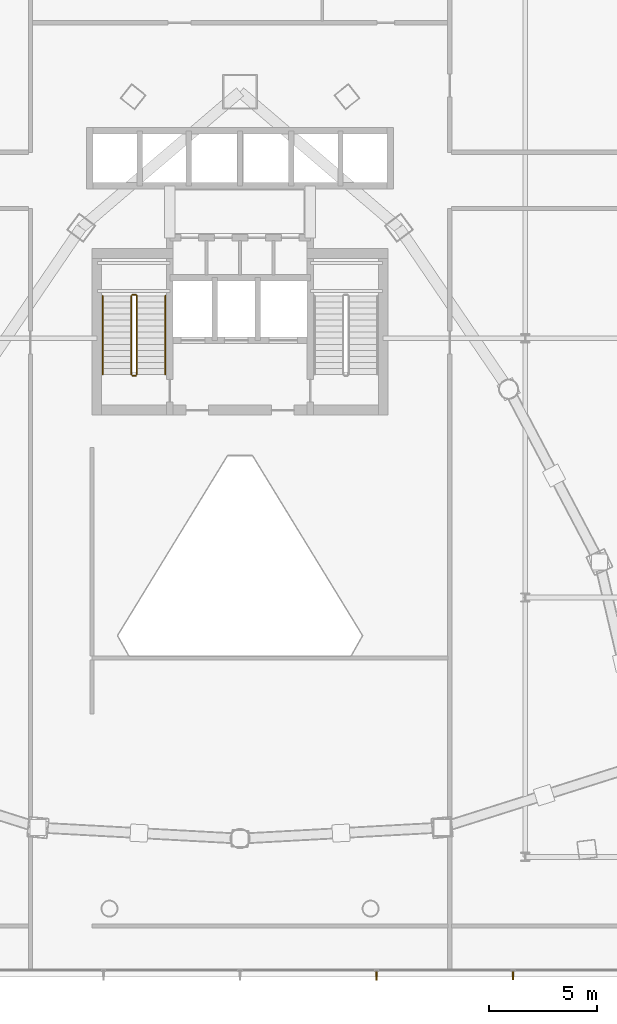
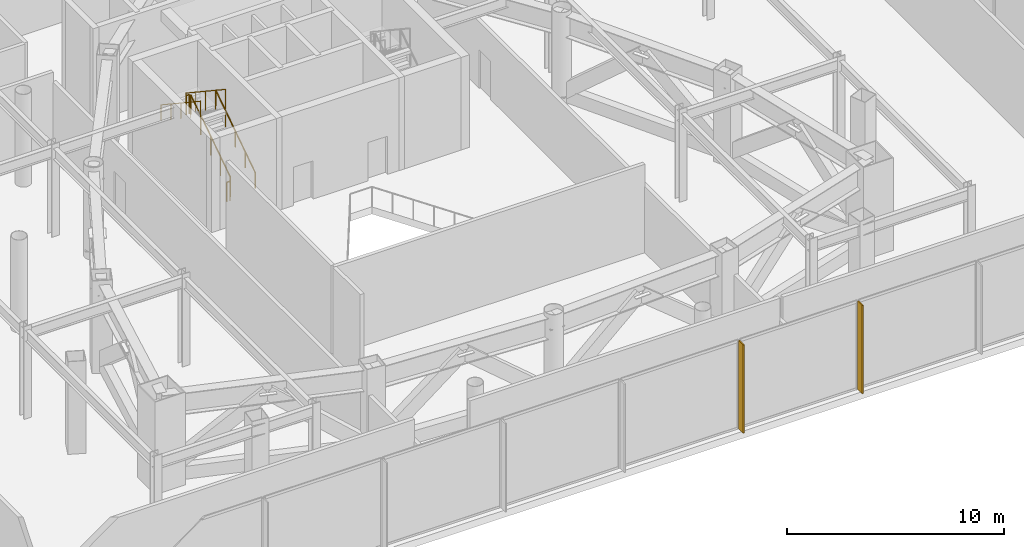
# One storey, part 38 of 43: 6 railings, 2 shading devices.
"""IFC4 building model written with IfcOpenShell, lengths in metres."""

import ifcopenshell
import ifcopenshell.guid

model = None  # the IFC model being written
_history = None  # IfcOwnerHistory: only IFC2X3 demands one
_inside = {}  # id of a spatial element -> (the spatial element, [elements in it])
_under = {}  # id of a project, library or spatial element -> (it, [spatial elements below it])
_declared = {}  # id of a project -> (the project, [libraries it declares])
_typed = {}  # id of a type object -> (the type object, [elements of that type])
_made_of = {}  # id of a material, layer set ... -> (it, [elements and type objects made of it])


def new_model(schema):
    """Start an empty IFC model of exactly this schema.

    Asked for "IFC4X3", IfcOpenShell would pick the latest addendum, in which some entities
    have other attributes; the version numbers below select the first issue.
    IFC2X3 requires an IfcOwnerHistory on every rooted entity: one is made here for all.
    """
    global model, _history
    if schema == "IFC4X3":
        model = ifcopenshell.file(schema_version=(4, 3, 0, 0))
    else:
        model = ifcopenshell.file(schema=schema)
    _inside.clear()
    _under.clear()
    _declared.clear()
    _typed.clear()
    _made_of.clear()
    _history = None
    if model.schema == "IFC2X3":
        org = make("IfcOrganization", Name="unknown")
        user = make(
            "IfcPersonAndOrganization",
            ThePerson=make("IfcPerson", FamilyName="unknown"),
            TheOrganization=org,
        )
        app = make(
            "IfcApplication",
            ApplicationDeveloper=org,
            Version="unknown",
            ApplicationFullName="unknown",
            ApplicationIdentifier="unknown",
        )
        _history = make(
            "IfcOwnerHistory",
            OwningUser=user,
            OwningApplication=app,
            ChangeAction="ADDED",
            CreationDate=0,
        )
    return model


def make(cls, **values):
    """One entity of the class cls with the attributes given. An attribute that is None is left unset."""
    return model.create_entity(
        cls, **{name: value for name, value in values.items() if value is not None}
    )


def rooted(cls, **values):
    """An entity with a GlobalId (a new one), such as an element, a storey or a relation."""
    return make(cls, GlobalId=ifcopenshell.guid.new(), OwnerHistory=_history, **values)


def si_unit(unit_type, name, prefix=None):
    """IfcSIUnit, for example si_unit("LENGTHUNIT", "METRE", prefix="MILLI")."""
    return make("IfcSIUnit", UnitType=unit_type, Prefix=prefix, Name=name)


def assignment(units):
    """IfcUnitAssignment: the units of a project."""
    return None if units is None else make("IfcUnitAssignment", Units=units)


def point(xyz):
    """IfcCartesianPoint."""
    return None if xyz is None else make("IfcCartesianPoint", Coordinates=xyz)


def direction(xyz):
    """IfcDirection."""
    return None if xyz is None else make("IfcDirection", DirectionRatios=xyz)


def frame(location, z_axis=None, x_axis=None):
    """IfcAxis2Placement3D, a coordinate frame: its origin and axes. An axis left out is left unset."""
    return make(
        "IfcAxis2Placement3D",
        Location=point(location),
        Axis=direction(z_axis),
        RefDirection=direction(x_axis),
    )


def frame_2d(location, x_axis=None):
    """IfcAxis2Placement2D, a coordinate frame in the plane: its origin and x axis."""
    return make(
        "IfcAxis2Placement2D", Location=point(location), RefDirection=direction(x_axis)
    )


def origin():
    """The frame at (0, 0, 0) with its axes left unset."""
    return frame((0.0, 0.0, 0.0))


def origin_2d():
    """The frame at (0, 0) in the plane with its x axis left unset."""
    return frame_2d((0.0, 0.0))


def place(relative_to, where):
    """IfcLocalPlacement: puts the frame where relative to a parent placement (None: the world)."""
    return make(
        "IfcLocalPlacement", PlacementRelTo=relative_to, RelativePlacement=where
    )


def context(
    kind, dimensions, precision=None, world=None, true_north=None, identifier=None
):
    """IfcGeometricRepresentationContext, for example the 3D "Model" context."""
    return make(
        "IfcGeometricRepresentationContext",
        ContextIdentifier=identifier,
        ContextType=kind,
        CoordinateSpaceDimension=dimensions,
        Precision=precision,
        WorldCoordinateSystem=world,
        TrueNorth=true_north,
    )


def subcontext(parent, identifier, kind, view, scale=None):
    """IfcGeometricRepresentationSubContext, for example "Body" below "Model"."""
    return make(
        "IfcGeometricRepresentationSubContext",
        ContextIdentifier=identifier,
        ContextType=kind,
        ParentContext=parent,
        TargetScale=scale,
        TargetView=view,
    )


def project(units=None, contexts=None):
    """IfcProject with its units and contexts."""
    return rooted(
        "IfcProject",
        Name="project",
        RepresentationContexts=contexts,
        UnitsInContext=assignment(units),
    )


def spatial(cls, under=None, at=None, **own):
    """A site, building, storey or space (cls), placed at a placement, below another one or the project."""
    s = rooted(cls, ObjectPlacement=at, **own)
    if under is not None:
        _under.setdefault(under.id(), (under, []))[1].append(s)
    return s


def profile(cls, at=None, kind="AREA", **sizes):
    """A parametric profile (cls). Its sizes go by their IFC names, for example OverallWidth=200.0."""
    return make(cls, ProfileType=kind, Position=at, **sizes)


def rectangle(**sizes):
    """IfcRectangleProfileDef."""
    return profile("IfcRectangleProfileDef", **sizes)


def circle(**sizes):
    """IfcCircleProfileDef."""
    return profile("IfcCircleProfileDef", **sizes)


def extrude(swept, where, along, depth):
    """IfcExtrudedAreaSolid: the profile swept, set in the frame where, extruded along a direction by depth."""
    return make(
        "IfcExtrudedAreaSolid",
        SweptArea=swept,
        Position=where,
        ExtrudedDirection=direction(along),
        Depth=depth,
    )


def shape(context_of_items, identifier, shape_type, items):
    """IfcShapeRepresentation: the items that make up one representation, for example the "Body"."""
    return make(
        "IfcShapeRepresentation",
        ContextOfItems=context_of_items,
        RepresentationIdentifier=identifier,
        RepresentationType=shape_type,
        Items=items,
    )


def material(Name=None, Category=None):
    """IfcMaterial."""
    return make("IfcMaterial", Name=Name, Category=Category)


def layer(
    of_material, thickness, ventilated=None, Name=None, Category=None, Priority=None
):
    """IfcMaterialLayer: one layer of a wall or slab, of a material (None: an air gap)."""
    return make(
        "IfcMaterialLayer",
        Material=of_material,
        LayerThickness=thickness,
        IsVentilated=ventilated,
        Name=Name,
        Category=Category,
        Priority=Priority,
    )


def layer_set(layers, Name=None):
    """IfcMaterialLayerSet."""
    return make("IfcMaterialLayerSet", MaterialLayers=layers, LayerSetName=Name)


def made_of(thing, what):
    """Note that an element or type object is made of a material, layer set ...; save() writes the relation."""
    if what is not None:
        _made_of.setdefault(what.id(), (what, []))[1].append(thing)
    return thing


def type_object(cls, material=None, **own):
    """A type object (cls), such as IfcWallType, which elements share."""
    return made_of(rooted(cls, **own), material)


def element(
    cls,
    number,
    at=None,
    inside=None,
    cuts=None,
    type_object=None,
    material=None,
    context=None,
    identifier="Body",
    shape_type=None,
    held_by="IfcProductDefinitionShape",
    body=None,
    shapes=None,
    **own,
):
    """One element of the class cls, such as IfcWall. Its Tag is "e" and its number.

    at: its placement. inside: the storey or other place that contains it. cuts: it is an
    opening in that element (IfcRelVoidsElement). A single representation is given by context,
    identifier, shape_type and body (its items); several are given by shapes. held_by: the class
    of the entity that holds the representations. save() writes the other relations.
    """
    e = rooted(cls, Tag="e%d" % number, ObjectPlacement=at, **own)
    if body is not None:
        shapes = [shape(context, identifier, shape_type, body)]
    if shapes is not None:
        e.Representation = make(held_by, Representations=shapes)
    if inside is not None:
        _inside.setdefault(inside.id(), (inside, []))[1].append(e)
    if cuts is not None:
        rooted(
            "IfcRelVoidsElement", RelatingBuildingElement=cuts, RelatedOpeningElement=e
        )
    if type_object is not None:
        _typed.setdefault(type_object.id(), (type_object, []))[1].append(e)
    return made_of(e, material)


def aggregate(whole, parts):
    """IfcRelAggregates: a whole, such as a stair, and the parts it consists of."""
    return rooted("IfcRelAggregates", RelatingObject=whole, RelatedObjects=parts)


def save(model, path):
    """Write the relations noted so far, then the file.

    IfcRelAggregates (storeys below a building ...), IfcRelContainedInSpatialStructure (elements
    in a storey), IfcRelDefinesByType, IfcRelAssociatesMaterial and IfcRelDeclares: one each for
    every whole, place, type object, material and project.
    """
    for whole, parts in _under.values():
        aggregate(whole, parts)
    for where, things in _inside.values():
        rooted(
            "IfcRelContainedInSpatialStructure",
            RelatedElements=things,
            RelatingStructure=where,
        )
    for kind, things in _typed.values():
        rooted("IfcRelDefinesByType", RelatedObjects=things, RelatingType=kind)
    for what, things in _made_of.values():
        rooted("IfcRelAssociatesMaterial", RelatedObjects=things, RelatingMaterial=what)
    for by, libraries in _declared.values():
        rooted("IfcRelDeclares", RelatingContext=by, RelatedDefinitions=libraries)
    model.write(path)


model = new_model("IFC4")

# Units and contexts
model_context = context("Model", 3, precision=1e-05, world=origin(), true_north=direction((0.0, 1.0)))
body_context = subcontext(model_context, "Body", "Model", "MODEL_VIEW")
ifc_project = project(units=[si_unit("LENGTHUNIT", "METRE"), si_unit("AREAUNIT", "SQUARE_METRE"), si_unit("VOLUMEUNIT", "CUBIC_METRE"), si_unit("PLANEANGLEUNIT", "RADIAN"), si_unit("MASSUNIT", "GRAM", prefix="KILO")], contexts=[model_context])

# Site, building, storey
site_placement = place(None, origin())
site = spatial("IfcSite", under=ifc_project, at=site_placement, CompositionType="ELEMENT")
building_placement = place(site_placement, origin())
building = spatial("IfcBuilding", under=site, at=building_placement, Name="Orvanel Arch Residences", CompositionType="ELEMENT")
storey_placement = place(building_placement, frame((0.0, 0.0, 18.39990234375)))
storey = spatial("IfcBuildingStorey", under=building, at=storey_placement, Name="L04", CompositionType="ELEMENT", Elevation=18.39990234375)

# Shading devices
ifc_material_1 = material(Name="Bronze-anodised aluminium AA6063-T6", Category="aluminium")
ifc_layer = layer(ifc_material_1, 0.06494140625)
ifc_layer_set = layer_set([ifc_layer], Name="Bronze-anodised aluminium AA6063-T6")
shading_device_type = type_object("IfcShadingDeviceType", Name="FIN-BRZ-420", PredefinedType="USERDEFINED", material=ifc_layer_set)
for number, where, z_axis, x_axis, name in (
    (1, (39.318115234375, 0.510009765625, 0.0), (0.0, 0.0, 1.0), (0.0, -1.0, 0.0), "L04 Anodised Bronze Mullion FIN 06"),
    (2, (45.635986328125, 0.510009765625, 0.0), (0.0, 0.0, 1.0), (0.0, -1.0, 0.0), "L04 Anodised Bronze Mullion FIN 07"),
):
    element("IfcShadingDevice", number, at=place(storey_placement, frame(where, z_axis=z_axis, x_axis=x_axis)), inside=storey, type_object=shading_device_type, Name=name, ObjectType="FIN", PredefinedType="USERDEFINED", context=body_context, shape_type="SweptSolid", body=[
        extrude(rectangle(XDim=0.419921875, YDim=0.06494140625, at=origin_2d()), origin(), (0.0, 0.0, 1.0), 4.9599609375),
    ])

# Railings
ifc_material_2 = material(Name="Structural steel AS/NZS 1163 C350L0 (Grade 350)", Category="steel")
railing_type_1 = type_object("IfcRailingType", Name="RL-STAIR-GUARD", PredefinedType="GUARDRAIL", material=ifc_material_2)
railing_1_placement = place(storey_placement, frame((28.22998046875, 28.320068359375, 0.185791015625)))
element("IfcRailing", 3, at=railing_1_placement, inside=storey, type_object=railing_type_1, Name="L04 ST-1 stair guard 1", PredefinedType="GUARDRAIL", context=body_context, shape_type="SweptSolid", body=[
    extrude(circle(Radius=0.02392578125, at=origin_2d()), frame((0.0, 0.001220703125, 1.076904296875), z_axis=(0.0, 0.833346510843, 0.552750932036), x_axis=(-1.0, 0.0, 0.0)), (0.0, 0.0, 1.0), 4.36474609375),
    extrude(circle(Radius=0.02099609375, at=origin_2d()), origin(), (0.0, 0.0, 1.0), 1.050048828125),
    extrude(circle(Radius=0.02099609375, at=origin_2d()), frame((0.0, 0.909912109375, 0.603515625)), (0.0, 0.0, 1.0), 1.050048828125),
    extrude(circle(Radius=0.02099609375, at=origin_2d()), frame((0.0, 1.81982421875, 1.20703125)), (0.0, 0.0, 1.0), 1.050048828125),
    extrude(circle(Radius=0.02099609375, at=origin_2d()), frame((0.0, 2.72998046875, 1.810791015625)), (0.0, 0.0, 1.0), 1.050048828125),
    extrude(circle(Radius=0.02099609375, at=origin_2d()), frame((0.0, 3.639892578125, 2.414306640625)), (0.0, 0.0, 1.0), 1.050048828125),
])
railing_2_placement = place(storey_placement, frame((28.179931640625, 32.010009765625, 2.60009765625)))
element("IfcRailing", 4, at=railing_2_placement, inside=storey, type_object=railing_type_1, Name="L04 ST-1 stair guard 2", PredefinedType="GUARDRAIL", context=body_context, shape_type="SweptSolid", body=[
    extrude(circle(Radius=0.02392578125, at=origin_2d()), frame((-0.00146484375, 0.0, 1.076171875), z_axis=(-1.0, 0.0, 0.0), x_axis=(0.0, -1.0, 0.0)), (0.0, 0.0, 1.0), 0.156982421875),
    extrude(circle(Radius=0.02099609375, at=origin_2d()), origin(), (0.0, 0.0, 1.0), 1.050048828125),
    extrude(circle(Radius=0.02099609375, at=origin_2d()), frame((-0.159912109375, 0.0, 0.0)), (0.0, 0.0, 1.0), 1.050048828125),
])
railing_3_placement = place(storey_placement, frame((27.969970703125, 31.9599609375, 2.785888671875)))
element("IfcRailing", 5, at=railing_3_placement, inside=storey, type_object=railing_type_1, Name="L04 ST-1 stair guard 3", PredefinedType="GUARDRAIL", context=body_context, shape_type="SweptSolid", body=[
    extrude(circle(Radius=0.02392578125, at=origin_2d()), frame((0.0, -0.001220703125, 1.076904296875), z_axis=(0.0, -0.833346510843, 0.552750932036), x_axis=(1.0, 0.0, 0.0)), (0.0, 0.0, 1.0), 4.36474609375),
    extrude(circle(Radius=0.02099609375, at=origin_2d()), origin(), (0.0, 0.0, 1.0), 1.050048828125),
    extrude(circle(Radius=0.02099609375, at=origin_2d()), frame((0.0, -0.909912109375, 0.603515625)), (0.0, 0.0, 1.0), 1.050048828125),
    extrude(circle(Radius=0.02099609375, at=origin_2d()), frame((0.0, -1.81982421875, 1.20703125)), (0.0, 0.0, 1.0), 1.050048828125),
    extrude(circle(Radius=0.02099609375, at=origin_2d()), frame((0.0, -2.72998046875, 1.810791015625)), (0.0, 0.0, 1.0), 1.050048828125),
    extrude(circle(Radius=0.02099609375, at=origin_2d()), frame((0.0, -3.639892578125, 2.414306640625)), (0.0, 0.0, 1.0), 1.050048828125),
])
railing_4_placement = place(storey_placement, frame((28.179931640625, 28.27001953125, 0.0)))
element("IfcRailing", 6, at=railing_4_placement, inside=storey, type_object=railing_type_1, Name="L04 ST-1 stair guard 4", PredefinedType="GUARDRAIL", context=body_context, shape_type="SweptSolid", body=[
    extrude(circle(Radius=0.02392578125, at=origin_2d()), frame((-0.00146484375, 0.0, 1.076171875), z_axis=(-1.0, 0.0, 0.0), x_axis=(0.0, -1.0, 0.0)), (0.0, 0.0, 1.0), 0.156982421875),
    extrude(circle(Radius=0.02099609375, at=origin_2d()), origin(), (0.0, 0.0, 1.0), 1.050048828125),
    extrude(circle(Radius=0.02099609375, at=origin_2d()), frame((-0.159912109375, 0.0, 0.0)), (0.0, 0.0, 1.0), 1.050048828125),
])
railing_type_2 = type_object("IfcRailingType", Name="RL-STAIR-HAND", PredefinedType="HANDRAIL", material=ifc_material_2)
railing_5_placement = place(storey_placement, frame((29.550048828125, 28.320068359375, 0.185791015625)))
element("IfcRailing", 7, at=railing_5_placement, inside=storey, type_object=railing_type_2, Name="L04 ST-1 stair handrail 1", PredefinedType="HANDRAIL", context=body_context, shape_type="SweptSolid", body=[
    extrude(circle(Radius=0.02392578125, at=origin_2d()), frame((0.0, 0.001220703125, 0.876708984375), z_axis=(0.0, 0.833346510843, 0.552750932036), x_axis=(-1.0, 0.0, 0.0)), (0.0, 0.0, 1.0), 4.36474609375),
    extrude(circle(Radius=0.02099609375, at=origin_2d()), origin(), (0.0, 0.0, 1.0), 0.849853515625),
    extrude(circle(Radius=0.02099609375, at=origin_2d()), frame((0.0, 0.909912109375, 0.603515625)), (0.0, 0.0, 1.0), 0.849853515625),
    extrude(circle(Radius=0.02099609375, at=origin_2d()), frame((0.0, 1.81982421875, 1.20703125)), (0.0, 0.0, 1.0), 0.849853515625),
    extrude(circle(Radius=0.02099609375, at=origin_2d()), frame((0.0, 2.72998046875, 1.810791015625)), (0.0, 0.0, 1.0), 0.849853515625),
    extrude(circle(Radius=0.02099609375, at=origin_2d()), frame((0.0, 3.639892578125, 2.414306640625)), (0.0, 0.0, 1.0), 0.849853515625),
])
railing_6_placement = place(storey_placement, frame((26.64990234375, 31.9599609375, 2.785888671875)))
element("IfcRailing", 8, at=railing_6_placement, inside=storey, type_object=railing_type_2, Name="L04 ST-1 stair handrail 2", PredefinedType="HANDRAIL", context=body_context, shape_type="SweptSolid", body=[
    extrude(circle(Radius=0.02392578125, at=origin_2d()), frame((0.0, -0.001220703125, 0.876708984375), z_axis=(0.0, -0.833346510843, 0.552750932036), x_axis=(1.0, 0.0, 0.0)), (0.0, 0.0, 1.0), 4.36474609375),
    extrude(circle(Radius=0.02099609375, at=origin_2d()), origin(), (0.0, 0.0, 1.0), 0.849853515625),
    extrude(circle(Radius=0.02099609375, at=origin_2d()), frame((0.0, -0.909912109375, 0.603515625)), (0.0, 0.0, 1.0), 0.849853515625),
    extrude(circle(Radius=0.02099609375, at=origin_2d()), frame((0.0, -1.81982421875, 1.20703125)), (0.0, 0.0, 1.0), 0.849853515625),
    extrude(circle(Radius=0.02099609375, at=origin_2d()), frame((0.0, -2.72998046875, 1.810791015625)), (0.0, 0.0, 1.0), 0.849853515625),
    extrude(circle(Radius=0.02099609375, at=origin_2d()), frame((0.0, -3.639892578125, 2.414306640625)), (0.0, 0.0, 1.0), 0.849853515625),
])

save(model, "model.ifc")
